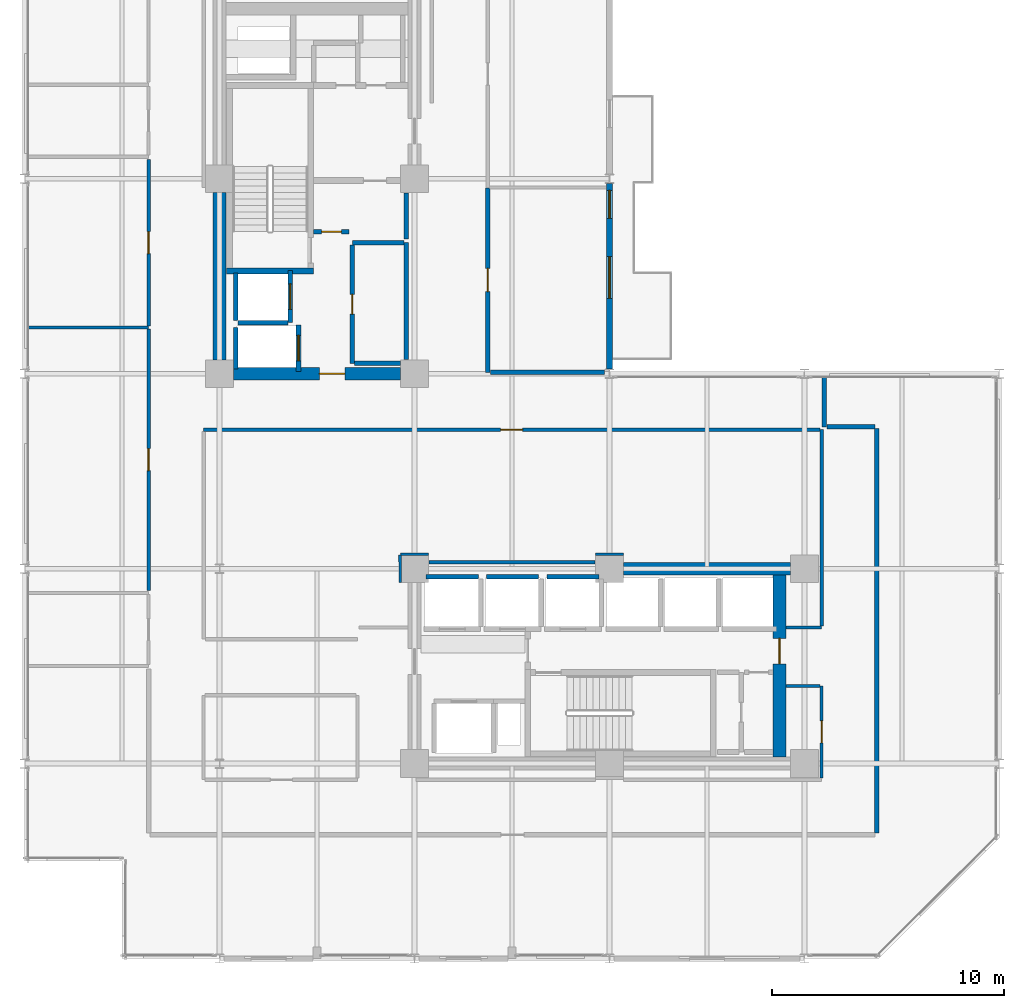
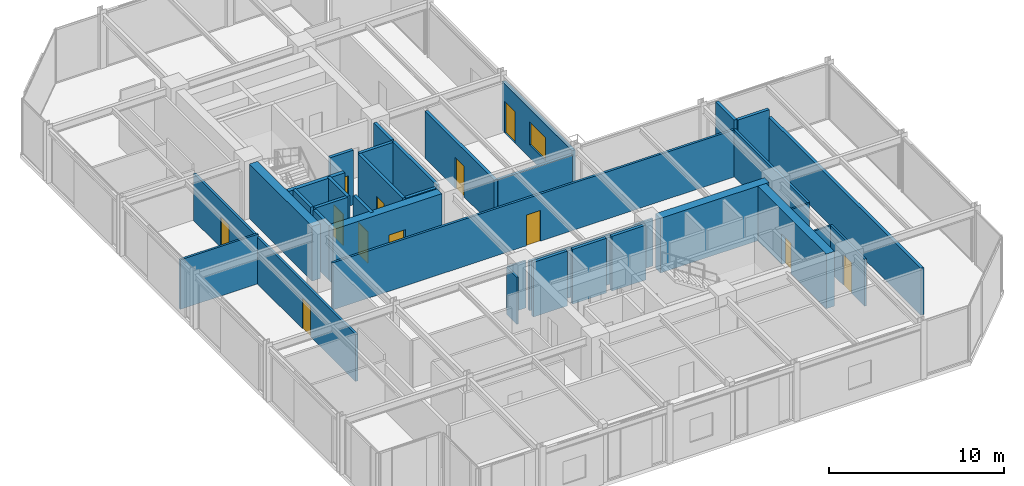
# One storey, part 25 of 29: 37 walls, 12 doors, 1 window, 13 openings.
"""IFC4 building model written with IfcOpenShell, lengths in metres."""

from ifc_helpers import new_model, si_unit, direction, frame, frame_2d, origin, place, context, subcontext, project, spatial, rectangle, extrude, material, layer, layer_set, type_object, element, fill, save


model = new_model("IFC4")

# Units and contexts
model_context = context("Model", 3, precision=1e-05, world=origin(), true_north=direction((0.0, 1.0)))
body_context = subcontext(model_context, "Body", "Model", "MODEL_VIEW")
ifc_project = project(units=[si_unit("LENGTHUNIT", "METRE"), si_unit("AREAUNIT", "SQUARE_METRE"), si_unit("VOLUMEUNIT", "CUBIC_METRE"), si_unit("PLANEANGLEUNIT", "RADIAN"), si_unit("MASSUNIT", "GRAM", prefix="KILO")], contexts=[model_context])

# Site, building, storey
site_placement = place(None, origin())
site = spatial("IfcSite", under=ifc_project, at=site_placement, CompositionType="ELEMENT")
building_placement = place(site_placement, origin())
building = spatial("IfcBuilding", under=site, at=building_placement, Name="Nerrivon Quay Data Exchange", CompositionType="ELEMENT")
storey_placement = place(building_placement, frame((0.0, 0.0, 133.60009765625)))
storey = spatial("IfcBuildingStorey", under=building, at=storey_placement, Name="L31", CompositionType="ELEMENT", Elevation=133.60009765625)

# Wall, openings, door, window
ifc_material_1 = material(Name="Architectural terracotta precast concrete N50 (50 MPa)", Category="masonry")
ifc_layer_1 = layer(ifc_material_1, 0.239990234375)
ifc_layer_set_1 = layer_set([ifc_layer_1], Name="Architectural terracotta precast concrete N50 (50 MPa)")
wall_type_1 = type_object("IfcWallType", Name="EW-PREC-240", PredefinedType="STANDARD", material=ifc_layer_set_1)
wall_1_placement = place(storey_placement, frame((25.199951171875, 33.39990234375, 0.0), z_axis=(0.0, 0.0, 1.0), x_axis=(0.0, -1.0, 0.0)))
wall_1 = element("IfcWall", 1, at=wall_1_placement, inside=storey, type_object=wall_type_1, Name="L31 Terrace Host Wall 25", PredefinedType="STANDARD", context=body_context, shape_type="SweptSolid", body=[
    extrude(rectangle(XDim=8.0, YDim=0.239990234375, at=frame_2d((4.0, 0.0))), origin(), (0.0, 0.0, 1.0), 3.421875),
])
opening_1_placement = place(wall_1_placement, frame((0.300048828125, 0.0, 0.0)))
opening_1 = element("IfcOpeningElement", 2, at=opening_1_placement, cuts=wall_1, Name="Opening TD1", PredefinedType="OPENING", context=body_context, shape_type="SweptSolid", body=[
    extrude(rectangle(XDim=1.199951171875, YDim=2.199951171875, at=frame_2d((0.60009765625, 1.10009765625))), frame((0.0, 0.1298828125, 0.0), z_axis=(0.0, -1.0, 0.0), x_axis=(1.0, 0.0, 0.0)), (0.0, 0.0, 1.0), 0.260009765625),
])
opening_2_placement = place(wall_1_placement, frame((3.14892578125, 0.0, 0.89990234375)))
opening_2 = element("IfcOpeningElement", 3, at=opening_2_placement, cuts=wall_1, Name="Opening WN2", PredefinedType="OPENING", context=body_context, shape_type="SweptSolid", body=[
    extrude(rectangle(XDim=1.800048828125, YDim=1.60009765625, at=frame_2d((0.89990234375, 0.800048828125))), frame((0.0, 0.1298828125, 0.0), z_axis=(0.0, -1.0, 0.0), x_axis=(1.0, 0.0, 0.0)), (0.0, 0.0, 1.0), 0.260009765625),
])
ifc_material_2 = material(Name="Double-glazed low-E solar control glass", Category="glass")
door_type_1 = type_object("IfcDoorType", Name="DR-TERR-1200x2200", OperationType="NOTDEFINED", PredefinedType="DOOR", material=ifc_material_2)
door_1_placement = place(opening_1_placement, origin())
door_1 = element("IfcDoor", 4, at=door_1_placement, inside=storey, type_object=door_type_1, Name="L31 Outdoor Terrace Access Door 25", OperationType="SINGLE_SWING_RIGHT", OverallHeight=2.199951171875, OverallWidth=1.199951171875, PredefinedType="DOOR", context=body_context, shape_type="SweptSolid", body=[
    extrude(rectangle(XDim=1.199951171875, YDim=2.199951171875, at=frame_2d((0.60009765625, 1.10009765625))), frame((0.0, 0.02490234375, 0.0), z_axis=(0.0, -1.0, 0.0), x_axis=(1.0, 0.0, 0.0)), (0.0, 0.0, 1.0), 0.050048828125),
])
fill(opening_1, door_1)
window_type = type_object("IfcWindowType", Name="WIN-W2-1800x1600", PartitioningType="SINGLE_PANEL", PredefinedType="WINDOW", material=ifc_material_2)
window_placement = place(opening_2_placement, origin())
window = element("IfcWindow", 5, at=window_placement, inside=storey, type_object=window_type, Name="L31 Terrace Side Window 25", OverallHeight=1.60009765625, OverallWidth=1.800048828125, PartitioningType="SINGLE_PANEL", PredefinedType="WINDOW", context=body_context, shape_type="SweptSolid", body=[
    extrude(rectangle(XDim=1.800048828125, YDim=1.60009765625, at=frame_2d((0.89990234375, 0.800048828125))), frame((0.0, 0.030029296875, 0.0), z_axis=(0.0, -1.0, 0.0), x_axis=(1.0, 0.0, 0.0)), (0.0, 0.0, 1.0), 0.06005859375),
])
fill(opening_2, window)

# Wall
ifc_material_3 = material(Name="Concrete S65 (65 MPa)", Category="concrete")
ifc_layer_2 = layer(ifc_material_3, 0.550048828125)
ifc_layer_set_2 = layer_set([ifc_layer_2], Name="Concrete S65 (65 MPa)")
wall_type_2 = type_object("IfcWallType", Name="WALL-CW-700", PredefinedType="SHEAR", material=ifc_layer_set_2)
wall_2_placement = place(storey_placement, frame((8.39990234375, 25.800048828125, 0.0), z_axis=(0.0, 0.0, 1.0), x_axis=(0.0, 1.0, 0.0)))
element("IfcWall", 6, at=wall_2_placement, inside=storey, type_object=wall_type_2, Name="L31 West Split-Core Shear Wall WCW-W1", PredefinedType="SHEAR", context=body_context, shape_type="SweptSolid", body=[
    extrude(rectangle(XDim=7.199951171875, YDim=0.550048828125, at=frame_2d((3.60009765625, 0.0))), origin(), (0.0, 0.0, 1.0), 3.824951171875),
])

# Wall, opening, door
wall_3_placement = place(storey_placement, frame((9.0, 25.199951171875, 0.0), z_axis=(0.0, 0.0, 1.0), x_axis=(1.0, 0.0, 0.0)))
wall_3 = element("IfcWall", 7, at=wall_3_placement, inside=storey, type_object=wall_type_2, Name="L31 West Split-Core Shear Wall WCW-S1", PredefinedType="SHEAR", context=body_context, shape_type="SweptSolid", body=[
    extrude(rectangle(XDim=7.199951171875, YDim=0.550048828125, at=frame_2d((3.60009765625, 0.0))), origin(), (0.0, 0.0, 1.0), 3.824951171875),
])
opening_3_placement = place(wall_3_placement, frame((3.699951171875, 0.0, 0.0)))
opening_3 = element("IfcOpeningElement", 8, at=opening_3_placement, cuts=wall_3, Name="Opening FD-120", PredefinedType="OPENING", context=body_context, shape_type="SweptSolid", body=[
    extrude(rectangle(XDim=1.10009765625, YDim=2.14990234375, at=frame_2d((0.550048828125, 1.074951171875))), frame((0.0, 0.284912109375, 0.0), z_axis=(0.0, -1.0, 0.0), x_axis=(1.0, 0.0, 0.0)), (0.0, 0.0, 1.0), 0.570068359375),
])
ifc_material_4 = material(Name="Powder-coated galvanized steel sheet", Category="steel")
door_type_2 = type_object("IfcDoorType", Name="DR-FD120-1100", OperationType="NOTDEFINED", PredefinedType="DOOR", material=ifc_material_4)
door_2_placement = place(opening_3_placement, origin())
door_2 = element("IfcDoor", 9, at=door_2_placement, inside=storey, type_object=door_type_2, Name="L31 West Core Lobby Fire Door", OperationType="SINGLE_SWING_RIGHT", OverallHeight=2.14990234375, OverallWidth=1.10009765625, PredefinedType="DOOR", context=body_context, shape_type="SweptSolid", body=[
    extrude(rectangle(XDim=1.10009765625, YDim=2.14990234375, at=frame_2d((0.550048828125, 1.074951171875))), frame((0.0, 0.02490234375, 0.0), z_axis=(0.0, -1.0, 0.0), x_axis=(1.0, 0.0, 0.0)), (0.0, 0.0, 1.0), 0.050048828125),
])
fill(opening_3, door_2)

wall_4_placement = place(storey_placement, frame((32.52490234375, 8.675048828125, 0.0), z_axis=(0.0, 0.0, 1.0), x_axis=(0.0, 1.0, 0.0)))
wall_4 = element("IfcWall", 10, at=wall_4_placement, inside=storey, type_object=wall_type_2, Name="L31 East Split-Core Shear Wall ECW-E1", PredefinedType="SHEAR", context=body_context, shape_type="SweptSolid", body=[
    extrude(rectangle(XDim=7.849853515625, YDim=0.550048828125, at=frame_2d((3.9248046875, 0.0))), origin(), (0.0, 0.0, 1.0), 3.824951171875),
])
opening_4_placement = place(wall_4_placement, frame((4.02490234375, 0.0, 0.0)))
opening_4 = element("IfcOpeningElement", 11, at=opening_4_placement, cuts=wall_4, Name="Opening FD-120", PredefinedType="OPENING", context=body_context, shape_type="SweptSolid", body=[
    extrude(rectangle(XDim=1.10009765625, YDim=2.14990234375, at=frame_2d((0.550048828125, 1.074951171875))), frame((0.0, 0.284912109375, 0.0), z_axis=(0.0, -1.0, 0.0), x_axis=(1.0, 0.0, 0.0)), (0.0, 0.0, 1.0), 0.570068359375),
])
door_3_placement = place(opening_4_placement, origin())
door_3 = element("IfcDoor", 12, at=door_3_placement, inside=storey, type_object=door_type_2, Name="L31 East Core Lobby Fire Door", OperationType="SINGLE_SWING_LEFT", OverallHeight=2.14990234375, OverallWidth=1.10009765625, PredefinedType="DOOR", context=body_context, shape_type="SweptSolid", body=[
    extrude(rectangle(XDim=1.10009765625, YDim=2.14990234375, at=frame_2d((0.550048828125, 1.074951171875))), frame((0.0, 0.02490234375, 0.0), z_axis=(0.0, -1.0, 0.0), x_axis=(1.0, 0.0, 0.0)), (0.0, 0.0, 1.0), 0.050048828125),
])
fill(opening_4, door_3)

# Wall
wall_5_placement = place(storey_placement, frame((25.800048828125, 16.800048828125, 0.0), z_axis=(0.0, 0.0, 1.0), x_axis=(1.0, 0.0, 0.0)))
element("IfcWall", 13, at=wall_5_placement, inside=storey, type_object=wall_type_2, Name="L31 East Split-Core Shear Wall ECW-N1", PredefinedType="SHEAR", context=body_context, shape_type="SweptSolid", body=[
    extrude(rectangle(XDim=7.199951171875, YDim=0.550048828125, at=frame_2d((3.60009765625, 0.0))), origin(), (0.0, 0.0, 1.0), 3.824951171875),
])

# Wall, opening, door
ifc_material_5 = material(Name="Gypsum plasterboard on cold-formed framing", Category="gypsum")
ifc_layer_3 = layer(ifc_material_5, 0.199951171875)
ifc_layer_set_3 = layer_set([ifc_layer_3], Name="Gypsum plasterboard on cold-formed framing")
wall_type_3 = type_object("IfcWallType", Name="WALL-FW-200", PredefinedType="PARTITIONING", material=ifc_layer_set_3)
wall_6_placement = place(storey_placement, frame((11.449951171875, 27.39990234375, 0.0), z_axis=(0.0, 0.0, 1.0), x_axis=(0.0, 1.0, 0.0)))
wall_6 = element("IfcWall", 14, at=wall_6_placement, inside=storey, type_object=wall_type_3, Name="L31 Lift Front Wall FFL-1", PredefinedType="PARTITIONING", context=body_context, shape_type="SweptSolid", body=[
    extrude(rectangle(XDim=2.25, YDim=0.199951171875, at=frame_2d((1.125, 0.0))), origin(), (0.0, 0.0, 1.0), 3.824951171875),
])
opening_5_placement = place(wall_6_placement, frame((0.574951171875, 0.0, 0.0)))
opening_5 = element("IfcOpeningElement", 15, at=opening_5_placement, cuts=wall_6, Name="Opening LD-120", PredefinedType="OPENING", context=body_context, shape_type="SweptSolid", body=[
    extrude(rectangle(XDim=1.10009765625, YDim=2.199951171875, at=frame_2d((0.550048828125, 1.10009765625))), frame((0.0, 0.10986328125, 0.0), z_axis=(0.0, -1.0, 0.0), x_axis=(1.0, 0.0, 0.0)), (0.0, 0.0, 1.0), 0.219970703125),
])
door_type_3 = type_object("IfcDoorType", Name="DR-LIFT-LD120", OperationType="DOUBLE_DOOR_SLIDING", PredefinedType="DOOR", material=ifc_material_4)
door_4_placement = place(opening_5_placement, origin())
door_4 = element("IfcDoor", 16, at=door_4_placement, inside=storey, type_object=door_type_3, Name="L31 Lift Landing Sliding Door FFL-1", OperationType="DOUBLE_DOOR_SLIDING", OverallHeight=2.199951171875, OverallWidth=1.10009765625, PredefinedType="DOOR", context=body_context, shape_type="SweptSolid", body=[
    extrude(rectangle(XDim=1.10009765625, YDim=2.199951171875, at=frame_2d((0.550048828125, 1.10009765625))), frame((0.0, 0.02490234375, 0.0), z_axis=(0.0, -1.0, 0.0), x_axis=(1.0, 0.0, 0.0)), (0.0, 0.0, 1.0), 0.050048828125),
])
fill(opening_5, door_4)

# Walls
wall_7_placement = place(storey_placement, frame((9.10009765625, 27.5, 0.0), z_axis=(0.0, 0.0, 1.0), x_axis=(0.0, 1.0, 0.0)))
element("IfcWall", 17, at=wall_7_placement, inside=storey, type_object=wall_type_3, Name="L31 Lift Shaft Wall FFL-1 WEST", PredefinedType="PARTITIONING", context=body_context, shape_type="SweptSolid", body=[
    extrude(rectangle(XDim=2.050048828125, YDim=0.199951171875, at=frame_2d((1.02490234375, 0.0))), origin(), (0.0, 0.0, 1.0), 3.824951171875),
])
wall_8_placement = place(storey_placement, frame((9.199951171875, 27.39990234375, 0.0), z_axis=(0.0, 0.0, 1.0), x_axis=(1.0, 0.0, 0.0)))
element("IfcWall", 18, at=wall_8_placement, inside=storey, type_object=wall_type_3, Name="L31 Lift Shaft Wall FFL-1 SOUTH", PredefinedType="PARTITIONING", context=body_context, shape_type="SweptSolid", body=[
    extrude(rectangle(XDim=2.150146484375, YDim=0.199951171875, at=frame_2d((1.0751953125, 0.0))), origin(), (0.0, 0.0, 1.0), 3.824951171875),
])

# Wall, opening, door
wall_9_placement = place(storey_placement, frame((11.800048828125, 25.300048828125, 0.0), z_axis=(0.0, 0.0, 1.0), x_axis=(0.0, 1.0, 0.0)))
wall_9 = element("IfcWall", 19, at=wall_9_placement, inside=storey, type_object=wall_type_3, Name="L31 Lift Front Wall SVL-1", PredefinedType="PARTITIONING", context=body_context, shape_type="SweptSolid", body=[
    extrude(rectangle(XDim=2.0, YDim=0.199951171875, at=frame_2d((1.0, 0.0))), origin(), (0.0, 0.0, 1.0), 3.824951171875),
])
opening_6_placement = place(wall_9_placement, frame((0.449951171875, 0.0, 0.0)))
opening_6 = element("IfcOpeningElement", 20, at=opening_6_placement, cuts=wall_9, Name="Opening LD-120", PredefinedType="OPENING", context=body_context, shape_type="SweptSolid", body=[
    extrude(rectangle(XDim=1.10009765625, YDim=2.199951171875, at=frame_2d((0.550048828125, 1.10009765625))), frame((0.0, 0.10986328125, 0.0), z_axis=(0.0, -1.0, 0.0), x_axis=(1.0, 0.0, 0.0)), (0.0, 0.0, 1.0), 0.219970703125),
])
door_5_placement = place(opening_6_placement, origin())
door_5 = element("IfcDoor", 21, at=door_5_placement, inside=storey, type_object=door_type_3, Name="L31 Lift Landing Sliding Door SVL-1", OperationType="DOUBLE_DOOR_SLIDING", OverallHeight=2.199951171875, OverallWidth=1.10009765625, PredefinedType="DOOR", context=body_context, shape_type="SweptSolid", body=[
    extrude(rectangle(XDim=1.10009765625, YDim=2.199951171875, at=frame_2d((0.550048828125, 1.10009765625))), frame((0.0, 0.02490234375, 0.0), z_axis=(0.0, -1.0, 0.0), x_axis=(1.0, 0.0, 0.0)), (0.0, 0.0, 1.0), 0.050048828125),
])
fill(opening_6, door_5)

# Walls
wall_10_placement = place(storey_placement, frame((9.10009765625, 25.39990234375, 0.0), z_axis=(0.0, 0.0, 1.0), x_axis=(0.0, 1.0, 0.0)))
element("IfcWall", 22, at=wall_10_placement, inside=storey, type_object=wall_type_3, Name="L31 Lift Shaft Wall SVL-1 WEST", PredefinedType="PARTITIONING", context=body_context, shape_type="SweptSolid", body=[
    extrude(rectangle(XDim=1.800048828125, YDim=0.199951171875, at=frame_2d((0.89990234375, 0.0))), origin(), (0.0, 0.0, 1.0), 3.824951171875),
])
for number, where, z_axis, x_axis, name in (
    (23, (17.300048828125, 16.449951171875, 0.0), (0.0, 0.0, 1.0), (1.0, 0.0, 0.0), "L31 Lift Shaft Wall PL4 NORTH"),
    (24, (19.89990234375, 16.449951171875, 0.0), (0.0, 0.0, 1.0), (1.0, 0.0, 0.0), "L31 Lift Shaft Wall PL5 NORTH"),
    (25, (22.5, 16.449951171875, 0.0), (0.0, 0.0, 1.0), (1.0, 0.0, 0.0), "L31 Lift Shaft Wall PL6 NORTH"),
):
    element("IfcWall", number, at=place(storey_placement, frame(where, z_axis=z_axis, x_axis=x_axis)), inside=storey, type_object=wall_type_3, Name=name, PredefinedType="PARTITIONING", context=body_context, shape_type="SweptSolid", body=[
        extrude(rectangle(XDim=2.25, YDim=0.199951171875, at=frame_2d((1.125, 0.0))), origin(), (0.0, 0.0, 1.0), 3.824951171875),
    ])
wall_11_placement = place(storey_placement, frame((16.449951171875, 25.804931640625, 0.0), z_axis=(0.0, 0.0, 1.0), x_axis=(0.0, 1.0, 0.0)))
element("IfcWall", 26, at=wall_11_placement, inside=storey, type_object=wall_type_3, Name="L31 Partition Fibre Patch Store", PredefinedType="PARTITIONING", context=body_context, shape_type="SweptSolid", body=[
    extrude(rectangle(XDim=5.045166015625, YDim=0.199951171875, at=frame_2d((2.5224609375, 0.0))), origin(), (0.0, 0.0, 1.0), 3.824951171875),
])
wall_12_placement = place(storey_placement, frame((16.345947265625, 30.85009765625, 0.0), z_axis=(0.0, 0.0, 1.0), x_axis=(-1.0, 0.0, 0.0)))
element("IfcWall", 27, at=wall_12_placement, inside=storey, type_object=wall_type_3, Name="L31 Partition Fibre Patch Store", PredefinedType="PARTITIONING", context=body_context, shape_type="SweptSolid", body=[
    extrude(rectangle(XDim=2.225830078125, YDim=0.199951171875, at=frame_2d((1.11279296875, 0.0))), origin(), (0.0, 0.0, 1.0), 3.824951171875),
])

# Wall, opening, door
wall_13_placement = place(storey_placement, frame((14.1201171875, 30.74609375, 0.0), z_axis=(0.0, 0.0, 1.0), x_axis=(0.0, -1.0, 0.0)))
wall_13 = element("IfcWall", 28, at=wall_13_placement, inside=storey, type_object=wall_type_3, Name="L31 Partition Fibre Patch Store", PredefinedType="PARTITIONING", context=body_context, shape_type="SweptSolid", body=[
    extrude(rectangle(XDim=5.09619140625, YDim=0.199951171875, at=frame_2d((2.548095703125, 0.0))), origin(), (0.0, 0.0, 1.0), 3.824951171875),
])
opening_7_placement = place(wall_13_placement, frame((2.123046875, 0.0, 0.0)))
opening_7 = element("IfcOpeningElement", 29, at=opening_7_placement, cuts=wall_13, Name="Opening FD-60S", PredefinedType="OPENING", context=body_context, shape_type="SweptSolid", body=[
    extrude(rectangle(XDim=0.85009765625, YDim=2.14990234375, at=frame_2d((0.425048828125, 1.074951171875))), frame((0.0, 0.10986328125, 0.0), z_axis=(0.0, -1.0, 0.0), x_axis=(1.0, 0.0, 0.0)), (0.0, 0.0, 1.0), 0.219970703125),
])
ifc_material_6 = material(Name="Engineered hardwood timber", Category="wood")
door_type_4 = type_object("IfcDoorType", Name="DR-FD60-850", OperationType="NOTDEFINED", PredefinedType="DOOR", material=ifc_material_6)
door_6_placement = place(opening_7_placement, origin())
door_6 = element("IfcDoor", 30, at=door_6_placement, inside=storey, type_object=door_type_4, Name="L31 Door Fibre Patch Store", OperationType="SINGLE_SWING_LEFT", OverallHeight=2.14990234375, OverallWidth=0.85009765625, PredefinedType="DOOR", context=body_context, shape_type="SweptSolid", body=[
    extrude(rectangle(XDim=0.85009765625, YDim=2.14990234375, at=frame_2d((0.425048828125, 1.074951171875))), frame((0.0, 0.02490234375, 0.0), z_axis=(0.0, -1.0, 0.0), x_axis=(1.0, 0.0, 0.0)), (0.0, 0.0, 1.0), 0.050048828125),
])
fill(opening_7, door_6)

# Wall
wall_14_placement = place(storey_placement, frame((14.22412109375, 25.64990234375, 0.0), z_axis=(0.0, 0.0, 1.0), x_axis=(1.0, 0.0, 0.0)))
element("IfcWall", 31, at=wall_14_placement, inside=storey, type_object=wall_type_3, Name="L31 Partition Fibre Patch Store", PredefinedType="PARTITIONING", context=body_context, shape_type="SweptSolid", body=[
    extrude(rectangle(XDim=1.970947265625, YDim=0.199951171875, at=frame_2d((0.9853515625, 0.0))), origin(), (0.0, 0.0, 1.0), 3.824951171875),
])

# Wall, opening, door
wall_15_placement = place(storey_placement, frame((12.4541015625, 31.320068359375, 0.0), z_axis=(0.0, 0.0, 1.0), x_axis=(0.999999949061, -0.000319182876, 0.0)))
wall_15 = element("IfcWall", 32, at=wall_15_placement, inside=storey, type_object=wall_type_3, Name="L31 Partition Core Equipment Closet", PredefinedType="PARTITIONING", context=body_context, shape_type="SweptSolid", body=[
    extrude(rectangle(XDim=1.52978515625, YDim=0.199951171875, at=frame_2d((0.764892578125, 0.0))), origin(), (0.0, 0.0, 1.0), 3.824951171875),
])
opening_8_placement = place(wall_15_placement, frame((0.340087890625, 0.0, 0.0)))
opening_8 = element("IfcOpeningElement", 33, at=opening_8_placement, cuts=wall_15, Name="Opening FD-60S", PredefinedType="OPENING", context=body_context, shape_type="SweptSolid", body=[
    extrude(rectangle(XDim=0.85009765625, YDim=2.14990234375, at=frame_2d((0.425048828125, 1.074951171875))), frame((0.0, 0.10986328125, 0.0), z_axis=(0.0, -1.0, 0.0), x_axis=(1.0, 0.0, 0.0)), (0.0, 0.0, 1.0), 0.219970703125),
])
door_7_placement = place(opening_8_placement, origin())
door_7 = element("IfcDoor", 34, at=door_7_placement, inside=storey, type_object=door_type_4, Name="L31 Door Core Equipment Closet", OperationType="SINGLE_SWING_RIGHT", OverallHeight=2.14990234375, OverallWidth=0.85009765625, PredefinedType="DOOR", context=body_context, shape_type="SweptSolid", body=[
    extrude(rectangle(XDim=0.85009765625, YDim=2.14990234375, at=frame_2d((0.425048828125, 1.074951171875))), frame((0.0, 0.02490234375, 0.0), z_axis=(0.0, -1.0, 0.0), x_axis=(1.0, 0.0, 0.0)), (0.0, 0.0, 1.0), 0.050048828125),
])
fill(opening_8, door_7)

# Walls
wall_16_placement = place(storey_placement, frame((16.449951171875, 31.0, 0.0), z_axis=(0.0, 0.0, 1.0), x_axis=(0.0, 1.0, 0.0)))
element("IfcWall", 35, at=wall_16_placement, inside=storey, type_object=wall_type_3, Name="L31 Partition Core Equipment Closet", PredefinedType="PARTITIONING", context=body_context, shape_type="SweptSolid", body=[
    extrude(rectangle(XDim=1.9951171875, YDim=0.199951171875, at=frame_2d((0.99755859375, 0.0))), origin(), (0.0, 0.0, 1.0), 3.824951171875),
])
wall_17_placement = place(storey_placement, frame((34.4599609375, 25.031005859375, 0.0), z_axis=(0.0, 0.0, 1.0), x_axis=(0.0, -1.0, 0.0)))
element("IfcWall", 36, at=wall_17_placement, inside=storey, type_object=wall_type_3, Name="L31 Partition Colocation Data Workspace 1", PredefinedType="PARTITIONING", context=body_context, shape_type="SweptSolid", body=[
    extrude(rectangle(XDim=2.12109375, YDim=0.199951171875, at=frame_2d((1.060546875, 0.0))), origin(), (0.0, 0.0, 1.0), 3.824951171875),
])
wall_18_placement = place(storey_placement, frame((34.56396484375, 22.909912109375, 0.0), z_axis=(0.0, 0.0, 1.0), x_axis=(1.0, 0.0, 0.0)))
element("IfcWall", 37, at=wall_18_placement, inside=storey, type_object=wall_type_3, Name="L31 Partition Colocation Data Workspace 1", PredefinedType="PARTITIONING", context=body_context, shape_type="SweptSolid", body=[
    extrude(rectangle(XDim=2.0859375, YDim=0.199951171875, at=frame_2d((1.04296875, 0.0))), origin(), (0.0, 0.0, 1.0), 3.824951171875),
])
wall_19_placement = place(storey_placement, frame((36.7099609375, 22.85009765625, 0.0), z_axis=(0.0, 0.0, 1.0), x_axis=(0.0, -1.0, 0.0)))
element("IfcWall", 38, at=wall_19_placement, inside=storey, type_object=wall_type_3, Name="L31 Partition Colocation Data Workspace 1", PredefinedType="PARTITIONING", context=body_context, shape_type="SweptSolid", body=[
    extrude(rectangle(XDim=17.4501953125, YDim=0.199951171875, at=frame_2d((8.72509765625, 0.0))), origin(), (0.0, 0.0, 1.0), 3.2919921875),
])

# Wall, opening, door
wall_20_placement = place(storey_placement, frame((19.9599609375, 33.2119140625, 0.0), z_axis=(0.0, 0.0, 1.0), x_axis=(0.0, -1.0, 0.0)))
wall_20 = element("IfcWall", 39, at=wall_20_placement, inside=storey, type_object=wall_type_3, Name="L31 Partition Colocation Data Workspace 1", PredefinedType="PARTITIONING", context=body_context, shape_type="SweptSolid", body=[
    extrude(rectangle(XDim=7.951904296875, YDim=0.199951171875, at=frame_2d((3.97607421875, 0.0))), origin(), (0.0, 0.0, 1.0), 3.2919921875),
])
opening_9_placement = place(wall_20_placement, frame((3.47607421875, 0.0, 0.0)))
opening_9 = element("IfcOpeningElement", 40, at=opening_9_placement, cuts=wall_20, Name="Opening FD-60", PredefinedType="OPENING", context=body_context, shape_type="SweptSolid", body=[
    extrude(rectangle(XDim=1.0, YDim=2.14990234375, at=frame_2d((0.5, 1.074951171875))), frame((0.0, 0.10986328125, 0.0), z_axis=(0.0, -1.0, 0.0), x_axis=(1.0, 0.0, 0.0)), (0.0, 0.0, 1.0), 0.219970703125),
])
door_type_5 = type_object("IfcDoorType", Name="DR-FD60-1000", OperationType="NOTDEFINED", PredefinedType="DOOR", material=ifc_material_6)
door_8_placement = place(opening_9_placement, origin())
door_8 = element("IfcDoor", 41, at=door_8_placement, inside=storey, type_object=door_type_5, Name="L31 Door Colocation Data Workspace 1", OperationType="SINGLE_SWING_RIGHT", OverallHeight=2.14990234375, OverallWidth=1.0, PredefinedType="DOOR", context=body_context, shape_type="SweptSolid", body=[
    extrude(rectangle(XDim=1.0, YDim=2.14990234375, at=frame_2d((0.5, 1.074951171875))), frame((0.0, 0.02490234375, 0.0), z_axis=(0.0, -1.0, 0.0), x_axis=(1.0, 0.0, 0.0)), (0.0, 0.0, 1.0), 0.050048828125),
])
fill(opening_9, door_8)

# Walls
wall_21_placement = place(storey_placement, frame((20.06396484375, 25.260009765625, 0.0), z_axis=(0.0, 0.0, 1.0), x_axis=(1.0, 0.0, 0.0)))
element("IfcWall", 42, at=wall_21_placement, inside=storey, type_object=wall_type_3, Name="L31 Partition Colocation Data Workspace 1", PredefinedType="PARTITIONING", context=body_context, shape_type="SweptSolid", body=[
    extrude(rectangle(XDim=4.916015625, YDim=0.199951171875, at=frame_2d((2.4580078125, 0.0))), origin(), (0.0, 0.0, 1.0), 3.2919921875),
])
ifc_layer_4 = layer(ifc_material_5, 0.1201171875)
ifc_layer_set_4 = layer_set([ifc_layer_4], Name="Gypsum plasterboard on cold-formed framing")
wall_type_4 = type_object("IfcWallType", Name="WALL-PT-120", PredefinedType="PARTITIONING", material=ifc_layer_set_4)
wall_22_placement = place(storey_placement, frame((34.2685546875, 11.739990234375, 0.0), z_axis=(0.0, 0.0, 1.0), x_axis=(-1.0, 0.0, 0.0)))
element("IfcWall", 43, at=wall_22_placement, inside=storey, type_object=wall_type_4, Name="L31 Partition Staff Pantry", PredefinedType="PARTITIONING", context=body_context, shape_type="SweptSolid", body=[
    extrude(rectangle(XDim=1.464599609375, YDim=0.1201171875, at=frame_2d((0.732421875, 0.0))), origin(), (0.0, 0.0, 1.0), 3.296875),
])
wall_23_placement = place(storey_placement, frame((16.180908203125, 16.194091796875, 0.0), z_axis=(0.0, 0.0, 1.0), x_axis=(-0.000809880277, 0.999999672047, 0.0)))
element("IfcWall", 44, at=wall_23_placement, inside=storey, type_object=wall_type_4, Name="L31 Partition Peering Huddle Meeting Room", PredefinedType="PARTITIONING", context=body_context, shape_type="SweptSolid", body=[
    extrude(rectangle(XDim=1.205810546875, YDim=0.1201171875, at=frame_2d((0.60302734375, 0.0))), origin(), (0.0, 0.0, 1.0), 3.2919921875),
])
for number, where, z_axis, x_axis, name in (
    (45, (16.199951171875, 17.419921875, 0.0), (0.0, 0.0, 1.0), (0.999999815526, -0.000607410295, 0.0), "L31 Partition Peering Huddle Meeting Room"),
    (46, (24.59423828125, 17.419189453125, 0.0), (0.0, 0.0, 1.0), (0.999999815526, 0.000607410295, 0.0), "L31 Partition Peering Huddle Meeting Room"),
):
    element("IfcWall", number, at=place(storey_placement, frame(where, z_axis=z_axis, x_axis=x_axis)), inside=storey, type_object=wall_type_4, Name=name, PredefinedType="PARTITIONING", context=body_context, shape_type="SweptSolid", body=[
        extrude(rectangle(XDim=1.205810546875, YDim=0.1201171875, at=frame_2d((0.60302734375, 0.0))), origin(), (0.0, 0.0, 1.0), 3.296875),
    ])
wall_24_placement = place(storey_placement, frame((32.803955078125, 14.260009765625, 0.0), z_axis=(0.0, 0.0, 1.0), x_axis=(1.0, 0.0, 0.0)))
element("IfcWall", 47, at=wall_24_placement, inside=storey, type_object=wall_type_4, Name="L31 Partition Peering Huddle Meeting Room", PredefinedType="PARTITIONING", context=body_context, shape_type="SweptSolid", body=[
    extrude(rectangle(XDim=1.5361328125, YDim=0.1201171875, at=frame_2d((0.76806640625, 0.0))), origin(), (0.0, 0.0, 1.0), 3.296875),
])

# Wall, opening, door
ifc_layer_5 = layer(ifc_material_5, 0.135009765625)
ifc_layer_set_5 = layer_set([ifc_layer_5], Name="Gypsum plasterboard on cold-formed framing")
wall_type_5 = type_object("IfcWallType", Name="WALL-PT-135", PredefinedType="PARTITIONING", material=ifc_layer_set_5)
wall_25_placement = place(storey_placement, frame((34.340087890625, 7.7890625, 0.0), z_axis=(0.0, 0.0, 1.0), x_axis=(0.0, 1.0, 0.0)))
wall_25 = element("IfcWall", 48, at=wall_25_placement, inside=storey, type_object=wall_type_5, Name="L31 Partition Staff Pantry", PredefinedType="PARTITIONING", context=body_context, shape_type="SweptSolid", body=[
    extrude(rectangle(XDim=3.950927734375, YDim=0.135009765625, at=frame_2d((1.9755859375, 0.0))), origin(), (0.0, 0.0, 1.0), 3.2919921875),
])
opening_10_placement = place(wall_25_placement, frame((1.50048828125, 0.0, 0.0)))
opening_10 = element("IfcOpeningElement", 49, at=opening_10_placement, cuts=wall_25, Name="Opening D-01", PredefinedType="OPENING", context=body_context, shape_type="SweptSolid", body=[
    extrude(rectangle(XDim=0.949951171875, YDim=2.14990234375, at=frame_2d((0.47509765625, 1.074951171875))), frame((0.0, 0.077392578125, 0.0), z_axis=(0.0, -1.0, 0.0), x_axis=(1.0, 0.0, 0.0)), (0.0, 0.0, 1.0), 0.155029296875),
])
door_type_6 = type_object("IfcDoorType", Name="DR-INT-950", OperationType="NOTDEFINED", PredefinedType="DOOR", material=ifc_material_6)
door_9_placement = place(opening_10_placement, origin())
door_9 = element("IfcDoor", 50, at=door_9_placement, inside=storey, type_object=door_type_6, Name="L31 Door Staff Pantry", OperationType="SINGLE_SWING_LEFT", OverallHeight=2.14990234375, OverallWidth=0.949951171875, PredefinedType="DOOR", context=body_context, shape_type="SweptSolid", body=[
    extrude(rectangle(XDim=0.949951171875, YDim=2.14990234375, at=frame_2d((0.47509765625, 1.074951171875))), frame((0.0, 0.02490234375, 0.0), z_axis=(0.0, -1.0, 0.0), x_axis=(1.0, 0.0, 0.0)), (0.0, 0.0, 1.0), 0.050048828125),
])
fill(opening_10, door_9)

# Wall
wall_26_placement = place(storey_placement, frame((0.1689453125, 27.191650390625, 0.0), z_axis=(0.0, 0.0, 1.0), x_axis=(1.0, 0.0, 0.0)))
element("IfcWall", 51, at=wall_26_placement, inside=storey, type_object=wall_type_5, Name="L31 Partition Engineers Lounge", PredefinedType="PARTITIONING", context=body_context, shape_type="SweptSolid", body=[
    extrude(rectangle(XDim=5.171142578125, YDim=0.135009765625, at=frame_2d((2.58544921875, 0.0))), origin(), (0.0, 0.0, 1.0), 3.468994140625),
])

# Wall, opening, door
ifc_layer_6 = layer(ifc_material_5, 0.14990234375)
ifc_layer_set_6 = layer_set([ifc_layer_6], Name="Gypsum plasterboard on cold-formed framing")
wall_type_6 = type_object("IfcWallType", Name="WALL-PT-150", PredefinedType="PARTITIONING", material=ifc_layer_set_6)
wall_27_placement = place(storey_placement, frame((5.340087890625, 27.26318359375, 0.0), z_axis=(0.0, 0.0, 1.0), x_axis=(0.0, 1.0, 0.0)))
wall_27 = element("IfcWall", 52, at=wall_27_placement, inside=storey, type_object=wall_type_6, Name="L31 Partition Engineers Lounge", PredefinedType="PARTITIONING", context=body_context, shape_type="SweptSolid", body=[
    extrude(rectangle(XDim=7.166748046875, YDim=0.14990234375, at=frame_2d((3.58349609375, 0.0))), origin(), (0.0, 0.0, 1.0), 3.2919921875),
])
opening_11_placement = place(wall_27_placement, frame((3.1083984375, 0.0, 0.0)))
opening_11 = element("IfcOpeningElement", 53, at=opening_11_placement, cuts=wall_27, Name="Opening D-01", PredefinedType="OPENING", context=body_context, shape_type="SweptSolid", body=[
    extrude(rectangle(XDim=0.949951171875, YDim=2.14990234375, at=frame_2d((0.47509765625, 1.074951171875))), frame((0.0, 0.0849609375, 0.0), z_axis=(0.0, -1.0, 0.0), x_axis=(1.0, 0.0, 0.0)), (0.0, 0.0, 1.0), 0.169921875),
])
door_10_placement = place(opening_11_placement, origin())
door_10 = element("IfcDoor", 54, at=door_10_placement, inside=storey, type_object=door_type_6, Name="L31 Door Engineers Lounge", OperationType="SINGLE_SWING_LEFT", OverallHeight=2.14990234375, OverallWidth=0.949951171875, PredefinedType="DOOR", context=body_context, shape_type="SweptSolid", body=[
    extrude(rectangle(XDim=0.949951171875, YDim=2.14990234375, at=frame_2d((0.47509765625, 1.074951171875))), frame((0.0, 0.02490234375, 0.0), z_axis=(0.0, -1.0, 0.0), x_axis=(1.0, 0.0, 0.0)), (0.0, 0.0, 1.0), 0.050048828125),
])
fill(opening_11, door_10)

wall_28_placement = place(storey_placement, frame((5.340087890625, 15.8701171875, 0.0), z_axis=(0.0, 0.0, 1.0), x_axis=(0.0, 1.0, 0.0)))
wall_28 = element("IfcWall", 55, at=wall_28_placement, inside=storey, type_object=wall_type_6, Name="L31 Partition Peering Day Lounge", PredefinedType="PARTITIONING", context=body_context, shape_type="SweptSolid", body=[
    extrude(rectangle(XDim=11.25, YDim=0.14990234375, at=frame_2d((5.625, 0.0))), origin(), (0.0, 0.0, 1.0), 3.2919921875),
])
opening_12_placement = place(wall_28_placement, frame((5.150146484375, 0.0, 0.0)))
opening_12 = element("IfcOpeningElement", 56, at=opening_12_placement, cuts=wall_28, Name="Opening D-01", PredefinedType="OPENING", context=body_context, shape_type="SweptSolid", body=[
    extrude(rectangle(XDim=0.949951171875, YDim=2.14990234375, at=frame_2d((0.47509765625, 1.074951171875))), frame((0.0, 0.0849609375, 0.0), z_axis=(0.0, -1.0, 0.0), x_axis=(1.0, 0.0, 0.0)), (0.0, 0.0, 1.0), 0.169921875),
])
door_11_placement = place(opening_12_placement, origin())
door_11 = element("IfcDoor", 57, at=door_11_placement, inside=storey, type_object=door_type_6, Name="L31 Door Peering Day Lounge", OperationType="SINGLE_SWING_RIGHT", OverallHeight=2.14990234375, OverallWidth=0.949951171875, PredefinedType="DOOR", context=body_context, shape_type="SweptSolid", body=[
    extrude(rectangle(XDim=0.949951171875, YDim=2.14990234375, at=frame_2d((0.47509765625, 1.074951171875))), frame((0.0, 0.02490234375, 0.0), z_axis=(0.0, -1.0, 0.0), x_axis=(1.0, 0.0, 0.0)), (0.0, 0.0, 1.0), 0.050048828125),
])
fill(opening_12, door_11)

# Walls
wall_29_placement = place(storey_placement, frame((17.419921875, 17.074951171875, 0.0), z_axis=(0.0, 0.0, 1.0), x_axis=(1.0, 0.0, 0.0)))
element("IfcWall", 58, at=wall_29_placement, inside=storey, type_object=wall_type_6, Name="L31 Partition Peering Huddle Meeting Room", PredefinedType="PARTITIONING", context=body_context, shape_type="SweptSolid", body=[
    extrude(rectangle(XDim=7.16015625, YDim=0.14990234375, at=frame_2d((3.580078125, 0.0))), origin(), (0.0, 0.0, 1.0), 3.468994140625),
])
wall_30_placement = place(storey_placement, frame((34.340087890625, 14.323974609375, 0.0), z_axis=(0.0, 0.0, 1.0), x_axis=(0.0, 1.0, 0.0)))
element("IfcWall", 59, at=wall_30_placement, inside=storey, type_object=wall_type_6, Name="L31 Partition Peering Huddle Meeting Room", PredefinedType="PARTITIONING", context=body_context, shape_type="SweptSolid", body=[
    extrude(rectangle(XDim=8.466064453125, YDim=0.14990234375, at=frame_2d((4.23291015625, 0.0))), origin(), (0.0, 0.0, 1.0), 3.2919921875),
])

# Wall, opening, door
wall_31_placement = place(storey_placement, frame((34.260986328125, 22.7900390625, 0.0), z_axis=(0.0, 0.0, 1.0), x_axis=(-1.0, 0.0, 0.0)))
wall_31 = element("IfcWall", 60, at=wall_31_placement, inside=storey, type_object=wall_type_6, Name="L31 Partition Peering Huddle Meeting Room", PredefinedType="PARTITIONING", context=body_context, shape_type="SweptSolid", body=[
    extrude(rectangle(XDim=26.551025390625, YDim=0.14990234375, at=frame_2d((13.275390625, 0.0))), origin(), (0.0, 0.0, 1.0), 3.296875),
])
opening_13_placement = place(wall_31_placement, frame((12.800537109375, 0.0, 0.0)))
opening_13 = element("IfcOpeningElement", 61, at=opening_13_placement, cuts=wall_31, Name="Opening D-01", PredefinedType="OPENING", context=body_context, shape_type="SweptSolid", body=[
    extrude(rectangle(XDim=0.949951171875, YDim=2.14990234375, at=frame_2d((0.47509765625, 1.074951171875))), frame((0.0, 0.0849609375, 0.0), z_axis=(0.0, -1.0, 0.0), x_axis=(1.0, 0.0, 0.0)), (0.0, 0.0, 1.0), 0.169921875),
])
door_12_placement = place(opening_13_placement, origin())
door_12 = element("IfcDoor", 62, at=door_12_placement, inside=storey, type_object=door_type_6, Name="L31 Door Peering Huddle Meeting Room", OperationType="SINGLE_SWING_LEFT", OverallHeight=2.14990234375, OverallWidth=0.949951171875, PredefinedType="DOOR", context=body_context, shape_type="SweptSolid", body=[
    extrude(rectangle(XDim=0.949951171875, YDim=2.14990234375, at=frame_2d((0.47509765625, 1.074951171875))), frame((0.0, 0.02490234375, 0.0), z_axis=(0.0, -1.0, 0.0), x_axis=(1.0, 0.0, 0.0)), (0.0, 0.0, 1.0), 0.050048828125),
])
fill(opening_13, door_12)

# Wall
ifc_material_7 = material(Name="Concrete N50 (50 MPa)", Category="concrete")
ifc_layer_7 = layer(ifc_material_7, 0.25)
ifc_layer_set_7 = layer_set([ifc_layer_7], Name="Concrete N50 (50 MPa)")
wall_type_7 = type_object("IfcWallType", Name="WALL-SW-250", PredefinedType="SHEAR", material=ifc_layer_set_7)
wall_32_placement = place(storey_placement, frame((12.449951171875, 29.625, 0.0), z_axis=(0.0, 0.0, 1.0), x_axis=(-1.0, 0.0, 0.0)))
element("IfcWall", 63, at=wall_32_placement, inside=storey, type_object=wall_type_7, Name="L31 ST01 Structural Stair Core Wall NEAR", PredefinedType="SHEAR", context=body_context, shape_type="SweptSolid", body=[
    extrude(rectangle(XDim=3.75, YDim=0.25, at=frame_2d((1.875, 0.0))), origin(), (0.0, 0.0, 1.0), 3.824951171875),
])

save(model, "model.ifc")
